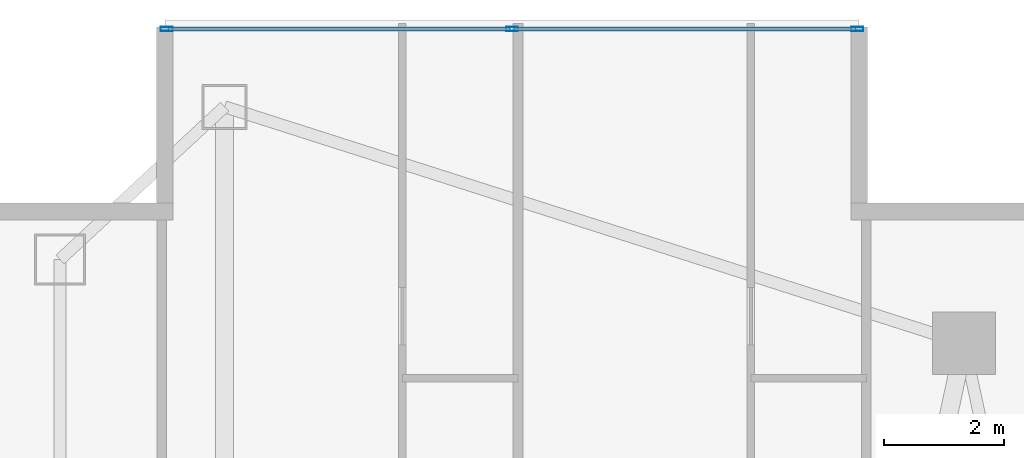
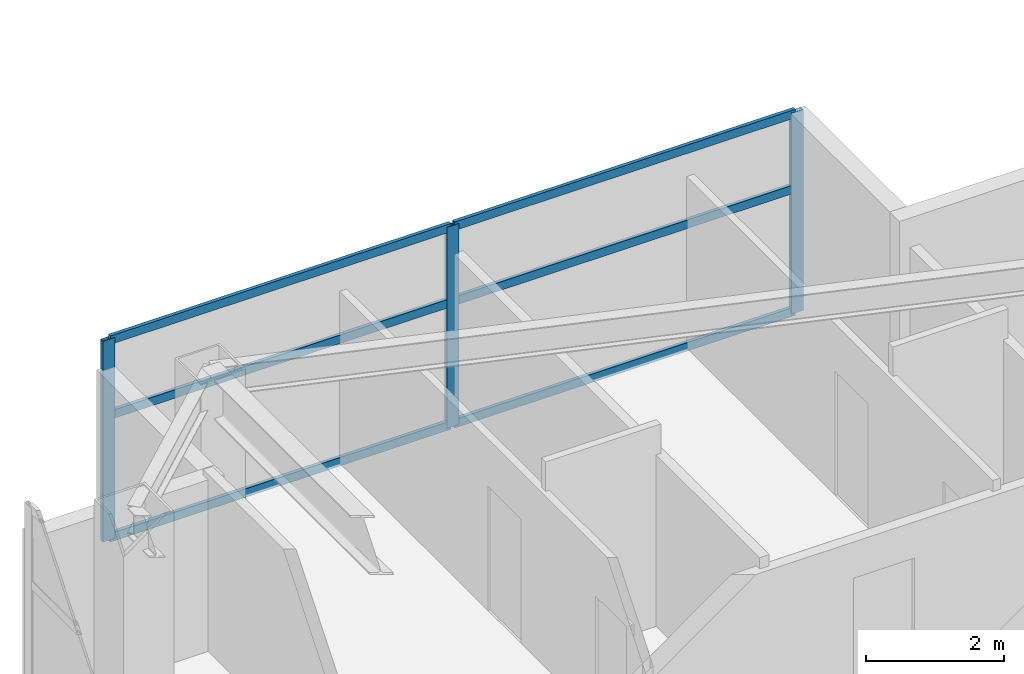
# One storey, part 19 of 28: 9 members, 1 element without a shape of its own.
"""IFC4 building model written with IfcOpenShell, lengths in metres."""

from ifc_helpers import new_model, si_unit, direction, frame, origin, origin_2d, place, context, subcontext, project, spatial, hollow_rectangle, extrude, material, layer, layer_set, material_profile, profile_set, type_object, element, aggregate, save


model = new_model("IFC4")

# Units and contexts
model_context = context("Model", 3, precision=1e-05, world=origin(), true_north=direction((0.0, 1.0)))
body_context = subcontext(model_context, "Body", "Model", "MODEL_VIEW")
ifc_project = project(units=[si_unit("LENGTHUNIT", "METRE"), si_unit("AREAUNIT", "SQUARE_METRE"), si_unit("VOLUMEUNIT", "CUBIC_METRE"), si_unit("PLANEANGLEUNIT", "RADIAN"), si_unit("MASSUNIT", "GRAM", prefix="KILO")], contexts=[model_context])

# Site, building, storey
site_placement = place(None, origin())
site = spatial("IfcSite", under=ifc_project, at=site_placement, CompositionType="ELEMENT")
building_placement = place(site_placement, origin())
building = spatial("IfcBuilding", under=site, at=building_placement, Name="Calvorn Quay Hotel", CompositionType="ELEMENT")
storey_placement = place(building_placement, frame((0.0, 0.0, 116.39990234375)))
storey = spatial("IfcBuildingStorey", under=building, at=storey_placement, Name="L28", CompositionType="ELEMENT", Elevation=116.39990234375)

# Curtain wall, members
ifc_material_1 = material(Name="Pale Anodised Aluminium and Low-E Glass", Category="aluminium")
ifc_layer = layer(ifc_material_1, 0.219970703125)
ifc_layer_set = layer_set([ifc_layer], Name="CW-SYS-Z2")
curtain_wall_type = type_object("IfcCurtainWallType", Name="CW-SYS-Z2", PredefinedType="NOTDEFINED", material=ifc_layer_set)
curtain_wall_placement = place(storey_placement, origin())
curtain_wall = element("IfcCurtainWall", 1, at=curtain_wall_placement, inside=storey, type_object=curtain_wall_type, Name="Inner Court Curtain Wall L28-N1", PredefinedType="NOTDEFINED")
ifc_material_2 = material(Name="Pale Anodised Aluminium 6063-T6", Category="aluminium")
ifc_material_profile_1 = material_profile(ifc_material_2, hollow_rectangle(XDim=0.070068359375, YDim=0.199951171875, WallThickness=0.00390625, at=origin_2d()), Name="ALU-M200x70x4")
ifc_profile_set_1 = profile_set([ifc_material_profile_1], Name="Pale Anodised Aluminium 6063-T6")
member_type_1 = type_object("IfcMemberType", Name="CW-SYS-Z2-MUL", PredefinedType="MULLION", material=ifc_profile_set_1)
member_1_placement = place(storey_placement, frame((14.77001953125, 50.85009765625, 0.0), z_axis=(0.0, 0.0, 1.0), x_axis=(0.0, -1.0, 0.0)))
member_1 = element("IfcMember", 2, at=member_1_placement, type_object=member_type_1, Name="CW-L28-N1 mullion 1", PredefinedType="MULLION", context=body_context, shape_type="SweptSolid", body=[
    extrude(hollow_rectangle(XDim=0.070068359375, YDim=0.199951171875, WallThickness=0.00390625, at=origin_2d()), origin(), (0.0, 0.0, 1.0), 3.56005859375),
])
member_2_placement = place(storey_placement, frame((9.0, 50.85009765625, 0.0), z_axis=(0.0, 0.0, 1.0), x_axis=(0.0, -1.0, 0.0)))
member_2 = element("IfcMember", 3, at=member_2_placement, type_object=member_type_1, Name="CW-L28-N1 mullion 2", PredefinedType="MULLION", context=body_context, shape_type="SweptSolid", body=[
    extrude(hollow_rectangle(XDim=0.070068359375, YDim=0.199951171875, WallThickness=0.00390625, at=origin_2d()), origin(), (0.0, 0.0, 1.0), 3.56005859375),
])
member_3_placement = place(storey_placement, frame((3.22998046875, 50.85009765625, 0.0), z_axis=(0.0, 0.0, 1.0), x_axis=(0.0, -1.0, 0.0)))
member_3 = element("IfcMember", 4, at=member_3_placement, type_object=member_type_1, Name="CW-L28-N1 mullion 3", PredefinedType="MULLION", context=body_context, shape_type="SweptSolid", body=[
    extrude(hollow_rectangle(XDim=0.070068359375, YDim=0.199951171875, WallThickness=0.00390625, at=origin_2d()), origin(), (0.0, 0.0, 1.0), 3.56005859375),
])
ifc_material_3 = material(Name="Pale Anodised Aluminium 6063-T6", Category="aluminium")
ifc_material_profile_2 = material_profile(ifc_material_3, hollow_rectangle(XDim=0.06005859375, YDim=0.14990234375, WallThickness=0.00341796875, at=origin_2d()), Name="ALU-T150x60x3.5")
ifc_profile_set_2 = profile_set([ifc_material_profile_2], Name="Pale Anodised Aluminium 6063-T6")
member_type_2 = type_object("IfcMemberType", Name="CW-SYS-Z2-TRN", PredefinedType="USERDEFINED", material=ifc_profile_set_2)
member_4_placement = place(storey_placement, frame((14.739990234375, 50.85009765625, 0.030029296875), z_axis=(-1.0, 0.0, 0.0), x_axis=(0.0, -1.0, 0.0)))
member_4 = element("IfcMember", 5, at=member_4_placement, type_object=member_type_2, Name="CW-L28-N1 transom 1.1", ObjectType="TRANSOM", PredefinedType="USERDEFINED", context=body_context, shape_type="SweptSolid", body=[
    extrude(hollow_rectangle(XDim=0.06005859375, YDim=0.14990234375, WallThickness=0.00341796875, at=origin_2d()), origin(), (0.0, 0.0, 1.0), 5.7099609375),
])
member_5_placement = place(storey_placement, frame((14.739990234375, 50.85009765625, 2.2001953125), z_axis=(-1.0, 0.0, 0.0), x_axis=(0.0, -1.0, 0.0)))
member_5 = element("IfcMember", 6, at=member_5_placement, type_object=member_type_2, Name="CW-L28-N1 transom 1.2", ObjectType="TRANSOM", PredefinedType="USERDEFINED", context=body_context, shape_type="SweptSolid", body=[
    extrude(hollow_rectangle(XDim=0.06005859375, YDim=0.14990234375, WallThickness=0.00341796875, at=origin_2d()), origin(), (0.0, 0.0, 1.0), 5.7099609375),
])
member_6_placement = place(storey_placement, frame((14.739990234375, 50.85009765625, 3.530029296875), z_axis=(-1.0, 0.0, 0.0), x_axis=(0.0, -1.0, 0.0)))
member_6 = element("IfcMember", 7, at=member_6_placement, type_object=member_type_2, Name="CW-L28-N1 transom 1.3", ObjectType="TRANSOM", PredefinedType="USERDEFINED", context=body_context, shape_type="SweptSolid", body=[
    extrude(hollow_rectangle(XDim=0.06005859375, YDim=0.14990234375, WallThickness=0.00341796875, at=origin_2d()), origin(), (0.0, 0.0, 1.0), 5.7099609375),
])
member_7_placement = place(storey_placement, frame((8.969970703125, 50.85009765625, 0.030029296875), z_axis=(-1.0, 0.0, 0.0), x_axis=(0.0, -1.0, 0.0)))
member_7 = element("IfcMember", 8, at=member_7_placement, type_object=member_type_2, Name="CW-L28-N1 transom 2.1", ObjectType="TRANSOM", PredefinedType="USERDEFINED", context=body_context, shape_type="SweptSolid", body=[
    extrude(hollow_rectangle(XDim=0.06005859375, YDim=0.14990234375, WallThickness=0.00341796875, at=origin_2d()), origin(), (0.0, 0.0, 1.0), 5.7099609375),
])
member_8_placement = place(storey_placement, frame((8.969970703125, 50.85009765625, 2.2001953125), z_axis=(-1.0, 0.0, 0.0), x_axis=(0.0, -1.0, 0.0)))
member_8 = element("IfcMember", 9, at=member_8_placement, type_object=member_type_2, Name="CW-L28-N1 transom 2.2", ObjectType="TRANSOM", PredefinedType="USERDEFINED", context=body_context, shape_type="SweptSolid", body=[
    extrude(hollow_rectangle(XDim=0.06005859375, YDim=0.14990234375, WallThickness=0.00341796875, at=origin_2d()), origin(), (0.0, 0.0, 1.0), 5.7099609375),
])
member_9_placement = place(storey_placement, frame((8.969970703125, 50.85009765625, 3.530029296875), z_axis=(-1.0, 0.0, 0.0), x_axis=(0.0, -1.0, 0.0)))
member_9 = element("IfcMember", 10, at=member_9_placement, type_object=member_type_2, Name="CW-L28-N1 transom 2.3", ObjectType="TRANSOM", PredefinedType="USERDEFINED", context=body_context, shape_type="SweptSolid", body=[
    extrude(hollow_rectangle(XDim=0.06005859375, YDim=0.14990234375, WallThickness=0.00341796875, at=origin_2d()), origin(), (0.0, 0.0, 1.0), 5.7099609375),
])
aggregate(curtain_wall, [member_1, member_2, member_3, member_4, member_5, member_6, member_7, member_8, member_9])

save(model, "model.ifc")
